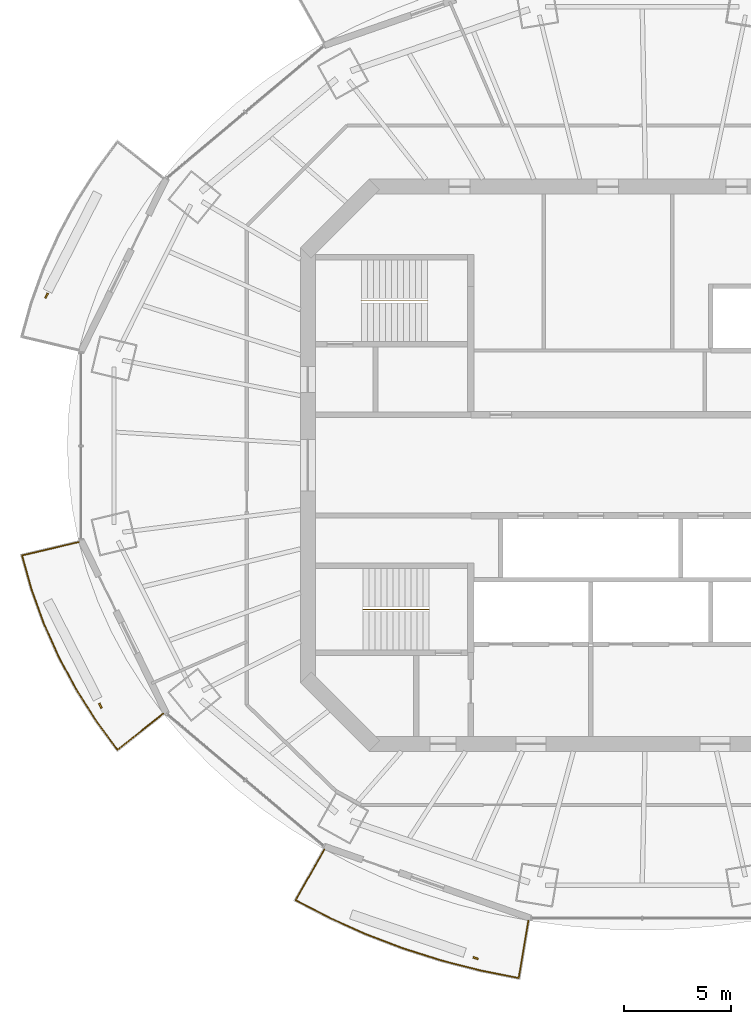
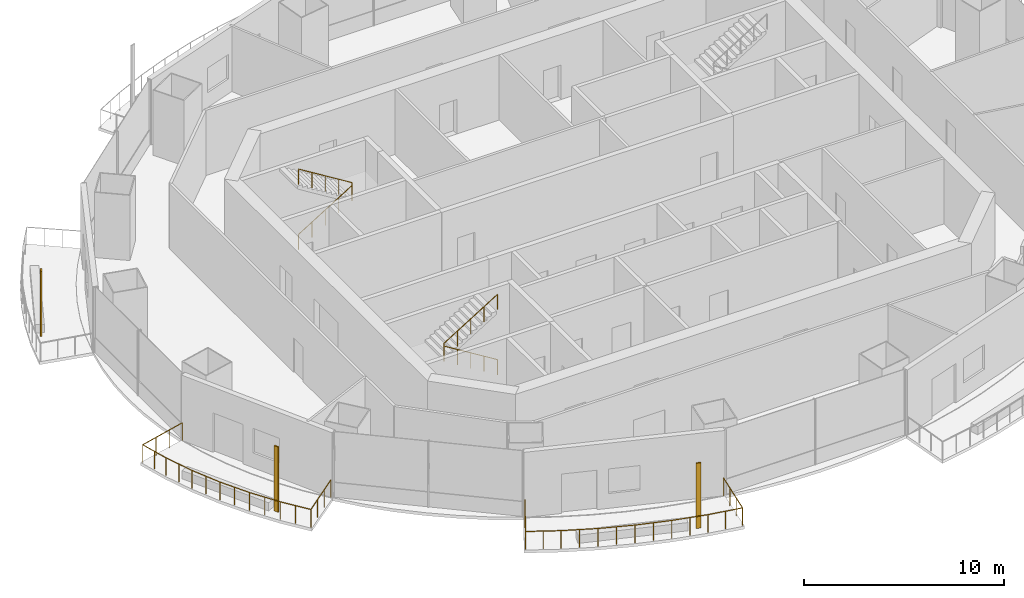
# One storey, part 12 of 16: 4 railings, 3 shading devices.
"""IFC4 building model written with IfcOpenShell, lengths in metres."""

from ifc_helpers import new_model, si_unit, direction, frame, origin, origin_2d, place, context, subcontext, project, spatial, rectangle, circle, extrude, material, material_profile, profile_set, type_object, element, save


model = new_model("IFC4")

# Units and contexts
model_context = context("Model", 3, precision=1e-05, world=origin(), true_north=direction((0.0, 1.0)))
body_context = subcontext(model_context, "Body", "Model", "MODEL_VIEW")
ifc_project = project(units=[si_unit("LENGTHUNIT", "METRE"), si_unit("AREAUNIT", "SQUARE_METRE"), si_unit("VOLUMEUNIT", "CUBIC_METRE"), si_unit("PLANEANGLEUNIT", "RADIAN"), si_unit("MASSUNIT", "GRAM", prefix="KILO")], contexts=[model_context])

# Site, building, storey
site_placement = place(None, origin())
site = spatial("IfcSite", under=ifc_project, at=site_placement, CompositionType="ELEMENT")
building_placement = place(site_placement, origin())
building = spatial("IfcBuilding", under=site, at=building_placement, Name="Marenthal Gate Tower", CompositionType="ELEMENT")
storey_placement = place(building_placement, frame((0.0, 0.0, 350.89990234375)))
storey = spatial("IfcBuildingStorey", under=building, at=storey_placement, Name="L79", CompositionType="ELEMENT", Elevation=350.89990234375)

# Railings
ifc_material_1 = material(Name="Stainless steel", Category="steel")
railing_type_1 = type_object("IfcRailingType", Name="Balcony guard 1100", PredefinedType="GUARDRAIL", material=ifc_material_1)
railing_1_placement = place(storey_placement, frame((-22.755615234375, -11.591064453125, 0.0)))
element("IfcRailing", 1, at=railing_1_placement, inside=storey, type_object=railing_type_1, Name="Balcony guard L79 bay 9", PredefinedType="GUARDRAIL", context=body_context, shape_type="SweptSolid", body=[
    extrude(circle(Radius=0.02392578125, at=origin_2d()), frame((0.0, 0.0, 1.076171875), z_axis=(-0.783657872761, -0.621020366697, -0.014630195082), x_axis=(0.621086839778, -0.783741754314, 0.0)), (0.0, 0.0, 1.0), 2.719970703125),
    extrude(circle(Radius=0.02392578125, at=origin_2d()), frame((-2.131591796875, -1.689208984375, 1.0361328125), z_axis=(-0.59265548199, 0.805456069359, 0.0), x_axis=(-0.805456069359, -0.59265548199, 0.0)), (0.0, 0.0, 1.0), 1.67041015625),
    extrude(circle(Radius=0.02392578125, at=origin_2d()), frame((-3.12158203125, -0.34375, 1.0361328125), z_axis=(-0.535757035565, 0.84437219213, 0.0), x_axis=(-0.84437219213, -0.535757035565, 0.0)), (0.0, 0.0, 1.0), 1.738037109375),
    extrude(circle(Radius=0.02392578125, at=origin_2d()), frame((-4.052734375, 1.123779296875, 1.0361328125), z_axis=(-0.473593920811, 0.880743321389, 0.0), x_axis=(-0.880743321389, -0.473593920811, 0.0)), (0.0, 0.0, 1.0), 1.72705078125),
    extrude(circle(Radius=0.02392578125, at=origin_2d()), frame((-4.87060546875, 2.644775390625, 1.0361328125), z_axis=(-0.407879524978, 0.91303575675, 0.0), x_axis=(-0.91303575675, -0.407879524978, 0.0)), (0.0, 0.0, 1.0), 1.716552734375),
    extrude(circle(Radius=0.02392578125, at=origin_2d()), frame((-5.57080078125, 4.212158203125, 1.0361328125), z_axis=(-0.338906739097, 0.940819973318, 0.0), x_axis=(-0.940819973318, -0.338906739097, 0.0)), (0.0, 0.0, 1.0), 1.7080078125),
    extrude(circle(Radius=0.02392578125, at=origin_2d()), frame((-6.149658203125, 5.819091796875, 1.0361328125), z_axis=(-0.268568220157, 0.963260666238, 0.0), x_axis=(-0.963260666238, -0.268568220157, 0.0)), (0.0, 0.0, 1.0), 1.620849609375),
    extrude(circle(Radius=0.02392578125, at=origin_2d()), frame((-6.5849609375, 7.38037109375, 1.0361328125), z_axis=(0.973183391678, 0.229565023599, 0.014628263818), x_axis=(-0.229589589404, 0.973287532252, 0.0)), (0.0, 0.0, 1.0), 2.720458984375),
    extrude(circle(Radius=0.02099609375, at=origin_2d()), origin(), (0.0, 0.0, 1.0), 1.052001953125),
    extrude(circle(Radius=0.02099609375, at=origin_2d()), frame((-0.71044921875, -0.56298828125, -0.01318359375)), (0.0, 0.0, 1.0), 1.052001953125),
    extrude(circle(Radius=0.02099609375, at=origin_2d()), frame((-1.421142578125, -1.126220703125, -0.026611328125)), (0.0, 0.0, 1.0), 1.052001953125),
    extrude(circle(Radius=0.02099609375, at=origin_2d()), frame((-2.131591796875, -1.689208984375, -0.039794921875)), (0.0, 0.0, 1.0), 1.052001953125),
    extrude(circle(Radius=0.02099609375, at=origin_2d()), frame((-2.62646484375, -1.0166015625, -0.039794921875)), (0.0, 0.0, 1.0), 1.052001953125),
    extrude(circle(Radius=0.02099609375, at=origin_2d()), frame((-3.12158203125, -0.34375, -0.039794921875)), (0.0, 0.0, 1.0), 1.052001953125),
    extrude(circle(Radius=0.02099609375, at=origin_2d()), frame((-3.587158203125, 0.39013671875, -0.039794921875)), (0.0, 0.0, 1.0), 1.052001953125),
    extrude(circle(Radius=0.02099609375, at=origin_2d()), frame((-4.052734375, 1.123779296875, -0.039794921875)), (0.0, 0.0, 1.0), 1.052001953125),
    extrude(circle(Radius=0.02099609375, at=origin_2d()), frame((-4.461669921875, 1.88427734375, -0.039794921875)), (0.0, 0.0, 1.0), 1.052001953125),
    extrude(circle(Radius=0.02099609375, at=origin_2d()), frame((-4.87060546875, 2.644775390625, -0.039794921875)), (0.0, 0.0, 1.0), 1.052001953125),
    extrude(circle(Radius=0.02099609375, at=origin_2d()), frame((-5.220703125, 3.428466796875, -0.039794921875)), (0.0, 0.0, 1.0), 1.052001953125),
    extrude(circle(Radius=0.02099609375, at=origin_2d()), frame((-5.57080078125, 4.212158203125, -0.039794921875)), (0.0, 0.0, 1.0), 1.052001953125),
    extrude(circle(Radius=0.02099609375, at=origin_2d()), frame((-5.8603515625, 5.015625, -0.039794921875)), (0.0, 0.0, 1.0), 1.052001953125),
    extrude(circle(Radius=0.02099609375, at=origin_2d()), frame((-6.149658203125, 5.819091796875, -0.039794921875)), (0.0, 0.0, 1.0), 1.052001953125),
    extrude(circle(Radius=0.02099609375, at=origin_2d()), frame((-6.3671875, 6.599609375, -0.039794921875)), (0.0, 0.0, 1.0), 1.052001953125),
    extrude(circle(Radius=0.02099609375, at=origin_2d()), frame((-6.5849609375, 7.38037109375, -0.039794921875)), (0.0, 0.0, 1.0), 1.052001953125),
    extrude(circle(Radius=0.02099609375, at=origin_2d()), frame((-5.702392578125, 7.588623046875, -0.026611328125)), (0.0, 0.0, 1.0), 1.052001953125),
    extrude(circle(Radius=0.02099609375, at=origin_2d()), frame((-4.820068359375, 7.796630859375, -0.01318359375)), (0.0, 0.0, 1.0), 1.052001953125),
    extrude(circle(Radius=0.02099609375, at=origin_2d()), frame((-3.9375, 8.0048828125, 0.0)), (0.0, 0.0, 1.0), 1.052001953125),
])
railing_2_placement = place(storey_placement, frame((-5.712646484375, -21.24853515625, 0.0)))
element("IfcRailing", 2, at=railing_2_placement, inside=storey, type_object=railing_type_1, Name="Balcony guard L79 bay 11", PredefinedType="GUARDRAIL", context=body_context, shape_type="SweptSolid", body=[
    extrude(circle(Radius=0.02392578125, at=origin_2d()), frame((0.0, 0.0, 1.076171875), z_axis=(-0.165312743974, -0.986132698584, -0.014628652154), x_axis=(0.98623823047, -0.165330435068, 0.0)), (0.0, 0.0, 1.0), 2.720458984375),
    extrude(circle(Radius=0.02392578125, at=origin_2d()), frame((-0.44970703125, -2.6826171875, 1.0361328125), z_axis=(-0.981028266678, 0.19386474661, 0.0), x_axis=(-0.19386474661, -0.981028266678, 0.0)), (0.0, 0.0, 1.0), 1.814697265625),
    extrude(circle(Radius=0.02392578125, at=origin_2d()), frame((-2.22998046875, -2.330810546875, 1.0361328125), z_axis=(-0.968851065423, 0.247644125772, 0.0), x_axis=(-0.247644125772, -0.968851065423, 0.0)), (0.0, 0.0, 1.0), 1.887939453125),
    extrude(circle(Radius=0.02392578125, at=origin_2d()), frame((-4.05908203125, -1.86328125, 1.0361328125), z_axis=(-0.953244331297, 0.302200669837, 0.0), x_axis=(-0.302200669837, -0.953244331297, 0.0)), (0.0, 0.0, 1.0), 1.879150390625),
    extrude(circle(Radius=0.02392578125, at=origin_2d()), frame((-5.850341796875, -1.29541015625, 1.0361328125), z_axis=(-0.934241329818, 0.35664146935, 0.0), x_axis=(-0.35664146935, -0.934241329818, 0.0)), (0.0, 0.0, 1.0), 1.86962890625),
    extrude(circle(Radius=0.02392578125, at=origin_2d()), frame((-7.596923828125, -0.628662109375, 1.0361328125), z_axis=(-0.911823143893, 0.410583187992, 0.0), x_axis=(-0.410583187992, -0.911823143893, 0.0)), (0.0, 0.0, 1.0), 1.858154296875),
    extrude(circle(Radius=0.02392578125, at=origin_2d()), frame((-9.291259765625, 0.13427734375, 1.0361328125), z_axis=(-0.886466510694, 0.462792745642, 0.0), x_axis=(-0.462792745642, -0.886466510694, 0.0)), (0.0, 0.0, 1.0), 1.76611328125),
    extrude(circle(Radius=0.02392578125, at=origin_2d()), frame((-10.85693359375, 0.95166015625, 1.0361328125), z_axis=(0.490779686418, 0.871160869856, 0.014630045517), x_axis=(-0.871254115691, 0.490832217659, 0.0)), (0.0, 0.0, 1.0), 2.719970703125),
    extrude(circle(Radius=0.02099609375, at=origin_2d()), origin(), (0.0, 0.0, 1.0), 1.052001953125),
    extrude(circle(Radius=0.02099609375, at=origin_2d()), frame((-0.14990234375, -0.894287109375, -0.01318359375)), (0.0, 0.0, 1.0), 1.052001953125),
    extrude(circle(Radius=0.02099609375, at=origin_2d()), frame((-0.2998046875, -1.788330078125, -0.026611328125)), (0.0, 0.0, 1.0), 1.052001953125),
    extrude(circle(Radius=0.02099609375, at=origin_2d()), frame((-0.44970703125, -2.6826171875, -0.039794921875)), (0.0, 0.0, 1.0), 1.052001953125),
    extrude(circle(Radius=0.02099609375, at=origin_2d()), frame((-1.33984375, -2.5068359375, -0.039794921875)), (0.0, 0.0, 1.0), 1.052001953125),
    extrude(circle(Radius=0.02099609375, at=origin_2d()), frame((-2.22998046875, -2.330810546875, -0.039794921875)), (0.0, 0.0, 1.0), 1.052001953125),
    extrude(circle(Radius=0.02099609375, at=origin_2d()), frame((-3.14453125, -2.09716796875, -0.039794921875)), (0.0, 0.0, 1.0), 1.052001953125),
    extrude(circle(Radius=0.02099609375, at=origin_2d()), frame((-4.05908203125, -1.86328125, -0.039794921875)), (0.0, 0.0, 1.0), 1.052001953125),
    extrude(circle(Radius=0.02099609375, at=origin_2d()), frame((-4.95458984375, -1.579345703125, -0.039794921875)), (0.0, 0.0, 1.0), 1.052001953125),
    extrude(circle(Radius=0.02099609375, at=origin_2d()), frame((-5.850341796875, -1.29541015625, -0.039794921875)), (0.0, 0.0, 1.0), 1.052001953125),
    extrude(circle(Radius=0.02099609375, at=origin_2d()), frame((-6.7236328125, -0.9619140625, -0.039794921875)), (0.0, 0.0, 1.0), 1.052001953125),
    extrude(circle(Radius=0.02099609375, at=origin_2d()), frame((-7.596923828125, -0.628662109375, -0.039794921875)), (0.0, 0.0, 1.0), 1.052001953125),
    extrude(circle(Radius=0.02099609375, at=origin_2d()), frame((-8.444091796875, -0.2470703125, -0.039794921875)), (0.0, 0.0, 1.0), 1.052001953125),
    extrude(circle(Radius=0.02099609375, at=origin_2d()), frame((-9.291259765625, 0.13427734375, -0.039794921875)), (0.0, 0.0, 1.0), 1.052001953125),
    extrude(circle(Radius=0.02099609375, at=origin_2d()), frame((-10.07421875, 0.54296875, -0.039794921875)), (0.0, 0.0, 1.0), 1.052001953125),
    extrude(circle(Radius=0.02099609375, at=origin_2d()), frame((-10.85693359375, 0.95166015625, -0.039794921875)), (0.0, 0.0, 1.0), 1.052001953125),
    extrude(circle(Radius=0.02099609375, at=origin_2d()), frame((-10.411865234375, 1.741455078125, -0.026611328125)), (0.0, 0.0, 1.0), 1.052001953125),
    extrude(circle(Radius=0.02099609375, at=origin_2d()), frame((-9.967041015625, 2.531494140625, -0.01318359375)), (0.0, 0.0, 1.0), 1.052001953125),
    extrude(circle(Radius=0.02099609375, at=origin_2d()), frame((-9.52197265625, 3.3212890625, 0.0)), (0.0, 0.0, 1.0), 1.052001953125),
])
ifc_material_2 = material(Name="Stainless steel", Category="steel")
railing_type_2 = type_object("IfcRailingType", Name="Stair handrail", PredefinedType="HANDRAIL", material=ifc_material_2)
railing_3_placement = place(storey_placement, frame((-13.5, 7.675048828125, 0.173095703125)))
element("IfcRailing", 3, at=railing_3_placement, inside=storey, type_object=railing_type_2, Name="Handrail ST1", PredefinedType="HANDRAIL", context=body_context, shape_type="SweptSolid", body=[
    extrude(circle(Radius=0.0224609375, at=origin_2d()), frame((0.0, 0.0, 0.927490234375), z_axis=(0.850835241893, 0.0, 0.525432575268), x_axis=(0.0, 1.0, 0.0)), (0.0, 0.0, 1.0), 3.6201171875),
    extrude(circle(Radius=0.0224609375, at=origin_2d()), frame((3.080078125, 0.0, 2.82958984375), z_axis=(0.0, 0.0, 1.0), x_axis=(1.0, 0.0, 0.0)), (0.0, 0.0, 1.0), 0.1728515625),
    extrude(circle(Radius=0.0224609375, at=origin_2d()), frame((3.080078125, 0.0, 3.00244140625), z_axis=(-0.850835241893, 0.0, 0.525432575268), x_axis=(0.0, -1.0, 0.0)), (0.0, 0.0, 1.0), 3.6201171875),
    extrude(circle(Radius=0.02001953125, at=origin_2d()), origin(), (0.0, 0.0, 1.0), 0.905029296875),
    extrude(circle(Radius=0.02001953125, at=origin_2d()), frame((0.77001953125, 0.0, 0.4755859375)), (0.0, 0.0, 1.0), 0.905029296875),
    extrude(circle(Radius=0.02001953125, at=origin_2d()), frame((1.5400390625, 0.0, 0.951171875)), (0.0, 0.0, 1.0), 0.905029296875),
    extrude(circle(Radius=0.02001953125, at=origin_2d()), frame((2.31005859375, 0.0, 1.426513671875)), (0.0, 0.0, 1.0), 0.905029296875),
    extrude(circle(Radius=0.02001953125, at=origin_2d()), frame((3.080078125, 0.0, 1.902099609375)), (0.0, 0.0, 1.0), 0.905029296875),
    extrude(circle(Radius=0.02001953125, at=origin_2d()), frame((3.080078125, 0.0, 2.074951171875)), (0.0, 0.0, 1.0), 0.905029296875),
    extrude(circle(Radius=0.02001953125, at=origin_2d()), frame((2.31005859375, 0.0, 2.550537109375)), (0.0, 0.0, 1.0), 0.905029296875),
    extrude(circle(Radius=0.02001953125, at=origin_2d()), frame((1.5400390625, 0.0, 3.02587890625)), (0.0, 0.0, 1.0), 0.905029296875),
    extrude(circle(Radius=0.02001953125, at=origin_2d()), frame((0.77001953125, 0.0, 3.50146484375)), (0.0, 0.0, 1.0), 0.905029296875),
    extrude(circle(Radius=0.02001953125, at=origin_2d()), frame((0.0, 0.0, 3.97705078125)), (0.0, 0.0, 1.0), 0.905029296875),
])
railing_4_placement = place(storey_placement, frame((-10.35009765625, -6.72509765625, 0.173095703125)))
element("IfcRailing", 4, at=railing_4_placement, inside=storey, type_object=railing_type_2, Name="Handrail ST2", PredefinedType="HANDRAIL", context=body_context, shape_type="SweptSolid", body=[
    extrude(circle(Radius=0.0224609375, at=origin_2d()), frame((0.0, 0.0, 0.927490234375), z_axis=(-0.850816621229, 0.0, 0.525462726595), x_axis=(0.0, -1.0, 0.0)), (0.0, 0.0, 1.0), 3.619873046875),
    extrude(circle(Radius=0.0224609375, at=origin_2d()), frame((-3.079833984375, 0.0, 2.82958984375), z_axis=(0.0, 0.0, 1.0), x_axis=(1.0, 0.0, 0.0)), (0.0, 0.0, 1.0), 0.1728515625),
    extrude(circle(Radius=0.0224609375, at=origin_2d()), frame((-3.079833984375, 0.0, 3.00244140625), z_axis=(0.850816621229, 0.0, 0.525462726595), x_axis=(0.0, 1.0, 0.0)), (0.0, 0.0, 1.0), 3.619873046875),
    extrude(circle(Radius=0.02001953125, at=origin_2d()), origin(), (0.0, 0.0, 1.0), 0.905029296875),
    extrude(circle(Radius=0.02001953125, at=origin_2d()), frame((-0.77001953125, 0.0, 0.4755859375)), (0.0, 0.0, 1.0), 0.905029296875),
    extrude(circle(Radius=0.02001953125, at=origin_2d()), frame((-1.5400390625, 0.0, 0.951171875)), (0.0, 0.0, 1.0), 0.905029296875),
    extrude(circle(Radius=0.02001953125, at=origin_2d()), frame((-2.309814453125, 0.0, 1.426513671875)), (0.0, 0.0, 1.0), 0.905029296875),
    extrude(circle(Radius=0.02001953125, at=origin_2d()), frame((-3.079833984375, 0.0, 1.902099609375)), (0.0, 0.0, 1.0), 0.905029296875),
    extrude(circle(Radius=0.02001953125, at=origin_2d()), frame((-3.079833984375, 0.0, 2.074951171875)), (0.0, 0.0, 1.0), 0.905029296875),
    extrude(circle(Radius=0.02001953125, at=origin_2d()), frame((-2.309814453125, 0.0, 2.550537109375)), (0.0, 0.0, 1.0), 0.905029296875),
    extrude(circle(Radius=0.02001953125, at=origin_2d()), frame((-1.5400390625, 0.0, 3.02587890625)), (0.0, 0.0, 1.0), 0.905029296875),
    extrude(circle(Radius=0.02001953125, at=origin_2d()), frame((-0.77001953125, 0.0, 3.50146484375)), (0.0, 0.0, 1.0), 0.905029296875),
    extrude(circle(Radius=0.02001953125, at=origin_2d()), frame((0.0, 0.0, 3.97705078125)), (0.0, 0.0, 1.0), 0.905029296875),
])

# Shading devices
ifc_material_3 = material(Name="Terracotta", Category="masonry")
ifc_material_profile = material_profile(ifc_material_3, rectangle(XDim=0.25, YDim=0.080078125, at=origin_2d()), Name="Terracotta baguette 250x80")
ifc_profile_set = profile_set([ifc_material_profile], Name="Terracotta")
shading_device_type = type_object("IfcShadingDeviceType", Name="Terracotta BAGUETTE SCREEN 250x80", PredefinedType="USERDEFINED", material=ifc_profile_set)
for number, where, z_axis, x_axis, name in (
    (5, (-28.19580078125, 7.9150390625, -0.039794921875), (0.0, 0.0, 1.0), (-0.441181376026, -0.897417959174, 0.0), "Terracotta BAGUETTE L79 bay 7R"),
    (6, (-25.682861328125, -11.226318359375, -0.039794921875), (0.0, 0.0, 1.0), (0.441181376026, -0.897417959174, 0.0), "Terracotta BAGUETTE L79 bay 9R"),
    (7, (-8.171875, -23.0029296875, -0.039794921875), (0.0, 0.0, 1.0), (0.944152186109, -0.32950971073, 0.0), "Terracotta BAGUETTE L79 bay 11R"),
):
    element("IfcShadingDevice", number, at=place(storey_placement, frame(where, z_axis=z_axis, x_axis=x_axis)), inside=storey, type_object=shading_device_type, Name=name, ObjectType="BAGUETTE SCREEN", PredefinedType="USERDEFINED", context=body_context, shape_type="SweptSolid", body=[
        extrude(rectangle(XDim=0.25, YDim=0.080078125, at=origin_2d()), origin(), (0.0, 0.0, 1.0), 3.969970703125),
    ])

save(model, "model.ifc")
